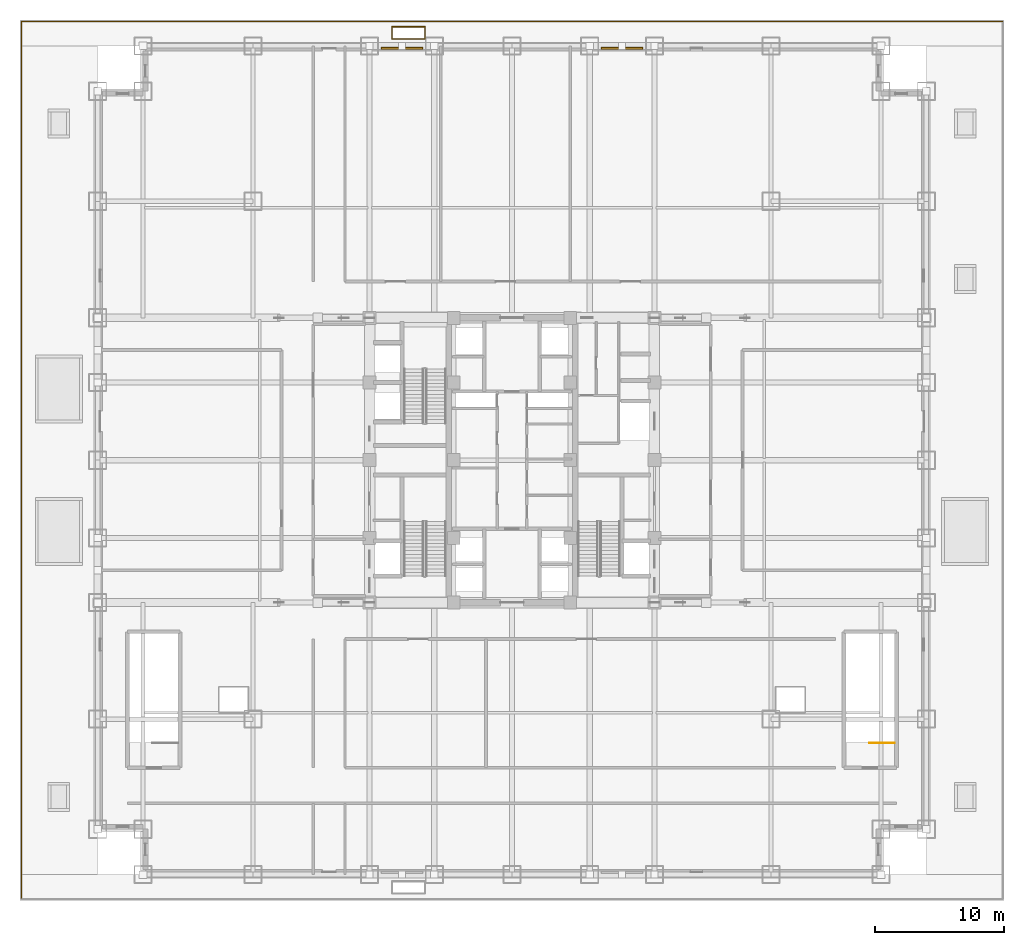
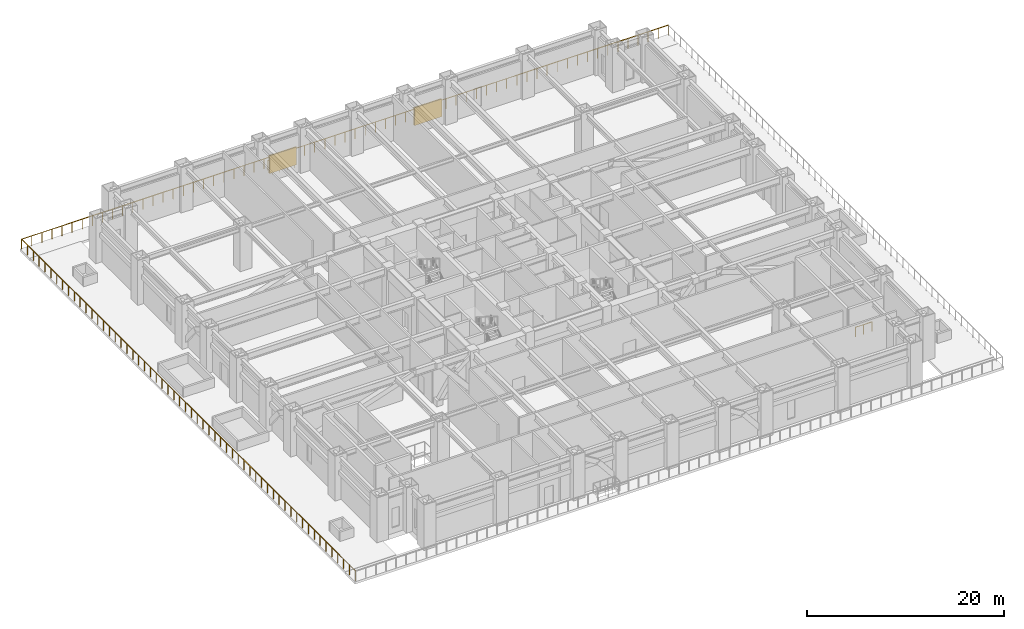
# One storey, part 21 of 21: 3 railings, 2 shading devices.
"""IFC4 building model written with IfcOpenShell, lengths in metres."""

import ifcopenshell
import ifcopenshell.guid

model = None  # the IFC model being written
_history = None  # IfcOwnerHistory: only IFC2X3 demands one
_inside = {}  # id of a spatial element -> (the spatial element, [elements in it])
_under = {}  # id of a project, library or spatial element -> (it, [spatial elements below it])
_declared = {}  # id of a project -> (the project, [libraries it declares])
_typed = {}  # id of a type object -> (the type object, [elements of that type])
_made_of = {}  # id of a material, layer set ... -> (it, [elements and type objects made of it])


def new_model(schema):
    """Start an empty IFC model of exactly this schema.

    Asked for "IFC4X3", IfcOpenShell would pick the latest addendum, in which some entities
    have other attributes; the version numbers below select the first issue.
    IFC2X3 requires an IfcOwnerHistory on every rooted entity: one is made here for all.
    """
    global model, _history
    if schema == "IFC4X3":
        model = ifcopenshell.file(schema_version=(4, 3, 0, 0))
    else:
        model = ifcopenshell.file(schema=schema)
    _inside.clear()
    _under.clear()
    _declared.clear()
    _typed.clear()
    _made_of.clear()
    _history = None
    if model.schema == "IFC2X3":
        org = make("IfcOrganization", Name="unknown")
        user = make(
            "IfcPersonAndOrganization",
            ThePerson=make("IfcPerson", FamilyName="unknown"),
            TheOrganization=org,
        )
        app = make(
            "IfcApplication",
            ApplicationDeveloper=org,
            Version="unknown",
            ApplicationFullName="unknown",
            ApplicationIdentifier="unknown",
        )
        _history = make(
            "IfcOwnerHistory",
            OwningUser=user,
            OwningApplication=app,
            ChangeAction="ADDED",
            CreationDate=0,
        )
    return model


def make(cls, **values):
    """One entity of the class cls with the attributes given. An attribute that is None is left unset."""
    return model.create_entity(
        cls, **{name: value for name, value in values.items() if value is not None}
    )


def rooted(cls, **values):
    """An entity with a GlobalId (a new one), such as an element, a storey or a relation."""
    return make(cls, GlobalId=ifcopenshell.guid.new(), OwnerHistory=_history, **values)


def si_unit(unit_type, name, prefix=None):
    """IfcSIUnit, for example si_unit("LENGTHUNIT", "METRE", prefix="MILLI")."""
    return make("IfcSIUnit", UnitType=unit_type, Prefix=prefix, Name=name)


def assignment(units):
    """IfcUnitAssignment: the units of a project."""
    return None if units is None else make("IfcUnitAssignment", Units=units)


def point(xyz):
    """IfcCartesianPoint."""
    return None if xyz is None else make("IfcCartesianPoint", Coordinates=xyz)


def direction(xyz):
    """IfcDirection."""
    return None if xyz is None else make("IfcDirection", DirectionRatios=xyz)


def frame(location, z_axis=None, x_axis=None):
    """IfcAxis2Placement3D, a coordinate frame: its origin and axes. An axis left out is left unset."""
    return make(
        "IfcAxis2Placement3D",
        Location=point(location),
        Axis=direction(z_axis),
        RefDirection=direction(x_axis),
    )


def frame_2d(location, x_axis=None):
    """IfcAxis2Placement2D, a coordinate frame in the plane: its origin and x axis."""
    return make(
        "IfcAxis2Placement2D", Location=point(location), RefDirection=direction(x_axis)
    )


def origin():
    """The frame at (0, 0, 0) with its axes left unset."""
    return frame((0.0, 0.0, 0.0))


def origin_2d():
    """The frame at (0, 0) in the plane with its x axis left unset."""
    return frame_2d((0.0, 0.0))


def place(relative_to, where):
    """IfcLocalPlacement: puts the frame where relative to a parent placement (None: the world)."""
    return make(
        "IfcLocalPlacement", PlacementRelTo=relative_to, RelativePlacement=where
    )


def context(
    kind, dimensions, precision=None, world=None, true_north=None, identifier=None
):
    """IfcGeometricRepresentationContext, for example the 3D "Model" context."""
    return make(
        "IfcGeometricRepresentationContext",
        ContextIdentifier=identifier,
        ContextType=kind,
        CoordinateSpaceDimension=dimensions,
        Precision=precision,
        WorldCoordinateSystem=world,
        TrueNorth=true_north,
    )


def subcontext(parent, identifier, kind, view, scale=None):
    """IfcGeometricRepresentationSubContext, for example "Body" below "Model"."""
    return make(
        "IfcGeometricRepresentationSubContext",
        ContextIdentifier=identifier,
        ContextType=kind,
        ParentContext=parent,
        TargetScale=scale,
        TargetView=view,
    )


def project(units=None, contexts=None):
    """IfcProject with its units and contexts."""
    return rooted(
        "IfcProject",
        Name="project",
        RepresentationContexts=contexts,
        UnitsInContext=assignment(units),
    )


def spatial(cls, under=None, at=None, **own):
    """A site, building, storey or space (cls), placed at a placement, below another one or the project."""
    s = rooted(cls, ObjectPlacement=at, **own)
    if under is not None:
        _under.setdefault(under.id(), (under, []))[1].append(s)
    return s


def profile(cls, at=None, kind="AREA", **sizes):
    """A parametric profile (cls). Its sizes go by their IFC names, for example OverallWidth=200.0."""
    return make(cls, ProfileType=kind, Position=at, **sizes)


def rectangle(**sizes):
    """IfcRectangleProfileDef."""
    return profile("IfcRectangleProfileDef", **sizes)


def circle(**sizes):
    """IfcCircleProfileDef."""
    return profile("IfcCircleProfileDef", **sizes)


def extrude(swept, where, along, depth):
    """IfcExtrudedAreaSolid: the profile swept, set in the frame where, extruded along a direction by depth."""
    return make(
        "IfcExtrudedAreaSolid",
        SweptArea=swept,
        Position=where,
        ExtrudedDirection=direction(along),
        Depth=depth,
    )


def shape(context_of_items, identifier, shape_type, items):
    """IfcShapeRepresentation: the items that make up one representation, for example the "Body"."""
    return make(
        "IfcShapeRepresentation",
        ContextOfItems=context_of_items,
        RepresentationIdentifier=identifier,
        RepresentationType=shape_type,
        Items=items,
    )


def source(mapping_origin, context_of_items, identifier, shape_type, items):
    """IfcRepresentationMap: a shape defined once, which mapped items show again and again."""
    return make(
        "IfcRepresentationMap",
        MappingOrigin=mapping_origin,
        MappedRepresentation=shape(context_of_items, identifier, shape_type, items),
    )


def transform(
    local_origin,
    x_axis=None,
    y_axis=None,
    z_axis=None,
    scale=None,
    scale2=None,
    scale3=None,
    uniform=True,
):
    """IfcCartesianTransformationOperator3D, or its non-uniform kind. x_axis, y_axis, z_axis: its Axis1, 2, 3."""
    if uniform:
        return make(
            "IfcCartesianTransformationOperator3D",
            Axis1=direction(x_axis),
            Axis2=direction(y_axis),
            LocalOrigin=point(local_origin),
            Scale=scale,
            Axis3=direction(z_axis),
        )
    return make(
        "IfcCartesianTransformationOperator3DnonUniform",
        Axis1=direction(x_axis),
        Axis2=direction(y_axis),
        LocalOrigin=point(local_origin),
        Scale=scale,
        Axis3=direction(z_axis),
        Scale2=scale2,
        Scale3=scale3,
    )


def mapped(mapping_source, mapping_target):
    """IfcMappedItem: shows the shape of a source again, moved by a transform."""
    return make(
        "IfcMappedItem", MappingSource=mapping_source, MappingTarget=mapping_target
    )


def material(Name=None, Category=None):
    """IfcMaterial."""
    return make("IfcMaterial", Name=Name, Category=Category)


def layer(
    of_material, thickness, ventilated=None, Name=None, Category=None, Priority=None
):
    """IfcMaterialLayer: one layer of a wall or slab, of a material (None: an air gap)."""
    return make(
        "IfcMaterialLayer",
        Material=of_material,
        LayerThickness=thickness,
        IsVentilated=ventilated,
        Name=Name,
        Category=Category,
        Priority=Priority,
    )


def layer_set(layers, Name=None):
    """IfcMaterialLayerSet."""
    return make("IfcMaterialLayerSet", MaterialLayers=layers, LayerSetName=Name)


def made_of(thing, what):
    """Note that an element or type object is made of a material, layer set ...; save() writes the relation."""
    if what is not None:
        _made_of.setdefault(what.id(), (what, []))[1].append(thing)
    return thing


def type_object(cls, material=None, **own):
    """A type object (cls), such as IfcWallType, which elements share."""
    return made_of(rooted(cls, **own), material)


def element(
    cls,
    number,
    at=None,
    inside=None,
    cuts=None,
    type_object=None,
    material=None,
    context=None,
    identifier="Body",
    shape_type=None,
    held_by="IfcProductDefinitionShape",
    body=None,
    shapes=None,
    **own,
):
    """One element of the class cls, such as IfcWall. Its Tag is "e" and its number.

    at: its placement. inside: the storey or other place that contains it. cuts: it is an
    opening in that element (IfcRelVoidsElement). A single representation is given by context,
    identifier, shape_type and body (its items); several are given by shapes. held_by: the class
    of the entity that holds the representations. save() writes the other relations.
    """
    e = rooted(cls, Tag="e%d" % number, ObjectPlacement=at, **own)
    if body is not None:
        shapes = [shape(context, identifier, shape_type, body)]
    if shapes is not None:
        e.Representation = make(held_by, Representations=shapes)
    if inside is not None:
        _inside.setdefault(inside.id(), (inside, []))[1].append(e)
    if cuts is not None:
        rooted(
            "IfcRelVoidsElement", RelatingBuildingElement=cuts, RelatedOpeningElement=e
        )
    if type_object is not None:
        _typed.setdefault(type_object.id(), (type_object, []))[1].append(e)
    return made_of(e, material)


def aggregate(whole, parts):
    """IfcRelAggregates: a whole, such as a stair, and the parts it consists of."""
    return rooted("IfcRelAggregates", RelatingObject=whole, RelatedObjects=parts)


def save(model, path):
    """Write the relations noted so far, then the file.

    IfcRelAggregates (storeys below a building ...), IfcRelContainedInSpatialStructure (elements
    in a storey), IfcRelDefinesByType, IfcRelAssociatesMaterial and IfcRelDeclares: one each for
    every whole, place, type object, material and project.
    """
    for whole, parts in _under.values():
        aggregate(whole, parts)
    for where, things in _inside.values():
        rooted(
            "IfcRelContainedInSpatialStructure",
            RelatedElements=things,
            RelatingStructure=where,
        )
    for kind, things in _typed.values():
        rooted("IfcRelDefinesByType", RelatedObjects=things, RelatingType=kind)
    for what, things in _made_of.values():
        rooted("IfcRelAssociatesMaterial", RelatedObjects=things, RelatingMaterial=what)
    for by, libraries in _declared.values():
        rooted("IfcRelDeclares", RelatingContext=by, RelatedDefinitions=libraries)
    model.write(path)


model = new_model("IFC4")

# Units and contexts
model_context = context("Model", 3, precision=1e-05, world=origin(), true_north=direction((0.0, 1.0)))
body_context = subcontext(model_context, "Body", "Model", "MODEL_VIEW")
ifc_project = project(units=[si_unit("LENGTHUNIT", "METRE"), si_unit("AREAUNIT", "SQUARE_METRE"), si_unit("VOLUMEUNIT", "CUBIC_METRE"), si_unit("PLANEANGLEUNIT", "RADIAN"), si_unit("MASSUNIT", "GRAM", prefix="KILO")], contexts=[model_context])

# Site, building, storey
site_placement = place(None, origin())
site = spatial("IfcSite", under=ifc_project, at=site_placement, CompositionType="ELEMENT")
building_placement = place(site_placement, origin())
building = spatial("IfcBuilding", under=site, at=building_placement, Name="Khorayat Bourse Tower", CompositionType="ELEMENT")
storey_placement = place(building_placement, frame((0.0, 0.0, 27.0)))
storey = spatial("IfcBuildingStorey", under=building, at=storey_placement, Name="L05", CompositionType="ELEMENT", Elevation=27.0)

# Railing
ifc_material_1 = material(Name="Laminated glass and bronze balustrade", Category="glass")
railing_type_1 = type_object("IfcRailingType", Name="RLG-TERR-1250", PredefinedType="GUARDRAIL", material=ifc_material_1)
shared_shape_1 = source(origin(), body_context, "Body", "SweptSolid", [
    extrude(circle(Radius=0.02392578125, at=origin_2d()), frame((0.0, 0.0, 1.22607421875), z_axis=(1.0, 0.0, 0.0), x_axis=(0.0, 1.0, 0.0)), (0.0, 0.0, 1.0), 2.56005859375),
    extrude(circle(Radius=0.02392578125, at=origin_2d()), frame((2.56005859375, 0.0, 1.22607421875), z_axis=(0.0, 1.0, 0.0), x_axis=(-1.0, 0.0, 0.0)), (0.0, 0.0, 1.0), 0.9599609375),
    extrude(circle(Radius=0.02392578125, at=origin_2d()), frame((2.56005859375, 0.9599609375, 1.22607421875), z_axis=(-1.0, 0.0, 0.0), x_axis=(0.0, -1.0, 0.0)), (0.0, 0.0, 1.0), 2.56005859375),
    extrude(circle(Radius=0.02392578125, at=origin_2d()), frame((0.0, 0.9599609375, 1.22607421875), z_axis=(0.0, -1.0, 0.0), x_axis=(1.0, 0.0, 0.0)), (0.0, 0.0, 1.0), 0.8798828125),
    extrude(circle(Radius=0.02099609375, at=origin_2d()), origin(), (0.0, 0.0, 1.0), 1.201904296875),
    extrude(circle(Radius=0.02099609375, at=origin_2d()), frame((0.853271484375, 0.0, 0.0)), (0.0, 0.0, 1.0), 1.201904296875),
    extrude(circle(Radius=0.02099609375, at=origin_2d()), frame((1.706787109375, 0.0, 0.0)), (0.0, 0.0, 1.0), 1.201904296875),
    extrude(circle(Radius=0.02099609375, at=origin_2d()), frame((2.56005859375, 0.0, 0.0)), (0.0, 0.0, 1.0), 1.201904296875),
    extrude(circle(Radius=0.02099609375, at=origin_2d()), frame((2.56005859375, 0.9599609375, 0.0)), (0.0, 0.0, 1.0), 1.201904296875),
    extrude(circle(Radius=0.02099609375, at=origin_2d()), frame((1.706787109375, 0.9599609375, 0.0)), (0.0, 0.0, 1.0), 1.201904296875),
    extrude(circle(Radius=0.02099609375, at=origin_2d()), frame((0.853271484375, 0.9599609375, 0.0)), (0.0, 0.0, 1.0), 1.201904296875),
    extrude(circle(Radius=0.02099609375, at=origin_2d()), frame((0.0, 0.9599609375, 0.0)), (0.0, 0.0, 1.0), 1.201904296875),
    extrude(circle(Radius=0.02099609375, at=origin_2d()), frame((0.0, 0.080078125, 0.0)), (0.0, 0.0, 1.0), 1.201904296875),
])
railing_1_placement = place(storey_placement, frame((-9.280029296875, 32.52001953125, 0.0)))
element("IfcRailing", 1, at=railing_1_placement, inside=storey, type_object=railing_type_1, Name="L05 Terrace Tree-Pit Guardrail 01", PredefinedType="GUARDRAIL", context=body_context, shape_type="MappedRepresentation", body=[
    mapped(shared_shape_1, transform((0.0, 0.0, 0.0), scale=1.0)),
])

# Shading devices
ifc_material_2 = material(Name="Anodised champagne aluminium", Category="aluminium")
ifc_layer = layer(ifc_material_2, 0.14990234375)
ifc_layer_set = layer_set([ifc_layer], Name="Anodised champagne aluminium")
shading_device_type = type_object("IfcShadingDeviceType", Name="SHD-PLANT-LOUVRE", PredefinedType="JALOUSIE", material=ifc_layer_set)
shared_shape_2 = source(origin(), body_context, "Body", "SweptSolid", [
    extrude(rectangle(XDim=3.199951171875, YDim=0.14990234375, at=origin_2d()), origin(), (0.0, 0.0, 1.0), 2.199951171875),
])
for number, where, z_axis, x_axis, name in (
    (2, (-8.5, 31.81005859375, 0.89990234375), (0.0, 0.0, 1.0), (1.0, 0.0, 0.0), "L05 Acoustic Plant Intake Louvre N-1"),
    (3, (8.5, 31.81005859375, 0.89990234375), (0.0, 0.0, 1.0), (1.0, 0.0, 0.0), "L05 Acoustic Plant Intake Louvre N-2"),
):
    element("IfcShadingDevice", number, at=place(storey_placement, frame(where, z_axis=z_axis, x_axis=x_axis)), inside=storey, type_object=shading_device_type, Name=name, PredefinedType="JALOUSIE", context=body_context, shape_type="MappedRepresentation", body=[
        mapped(shared_shape_2, transform((0.0, 0.0, 0.0), scale=1.0)),
    ])

# Railings
shared_shape_3 = source(origin(), body_context, "Body", "SweptSolid", [
    extrude(circle(Radius=0.02392578125, at=origin_2d()), frame((0.0, 0.0, 1.22607421875), z_axis=(-1.0, 0.0, 0.0), x_axis=(0.0, -1.0, 0.0)), (0.0, 0.0, 1.0), 75.759765625),
    extrude(circle(Radius=0.02392578125, at=origin_2d()), frame((-75.759765625, 0.0, 1.22607421875), z_axis=(0.0, -1.0, 0.0), x_axis=(1.0, 0.0, 0.0)), (0.0, 0.0, 1.0), 67.699951171875),
    extrude(circle(Radius=0.02099609375, at=origin_2d()), origin(), (0.0, 0.0, 1.0), 1.201904296875),
    extrude(circle(Radius=0.02099609375, at=origin_2d()), frame((-1.183837890625, 0.0, 0.0)), (0.0, 0.0, 1.0), 1.201904296875),
    extrude(circle(Radius=0.02099609375, at=origin_2d()), frame((-2.367431640625, 0.0, 0.0)), (0.0, 0.0, 1.0), 1.201904296875),
    extrude(circle(Radius=0.02099609375, at=origin_2d()), frame((-3.55126953125, 0.0, 0.0)), (0.0, 0.0, 1.0), 1.201904296875),
    extrude(circle(Radius=0.02099609375, at=origin_2d()), frame((-4.73486328125, 0.0, 0.0)), (0.0, 0.0, 1.0), 1.201904296875),
    extrude(circle(Radius=0.02099609375, at=origin_2d()), frame((-5.918701171875, 0.0, 0.0)), (0.0, 0.0, 1.0), 1.201904296875),
    extrude(circle(Radius=0.02099609375, at=origin_2d()), frame((-7.1025390625, 0.0, 0.0)), (0.0, 0.0, 1.0), 1.201904296875),
    extrude(circle(Radius=0.02099609375, at=origin_2d()), frame((-8.2861328125, 0.0, 0.0)), (0.0, 0.0, 1.0), 1.201904296875),
    extrude(circle(Radius=0.02099609375, at=origin_2d()), frame((-9.469970703125, 0.0, 0.0)), (0.0, 0.0, 1.0), 1.201904296875),
    extrude(circle(Radius=0.02099609375, at=origin_2d()), frame((-10.65380859375, 0.0, 0.0)), (0.0, 0.0, 1.0), 1.201904296875),
    extrude(circle(Radius=0.02099609375, at=origin_2d()), frame((-11.83740234375, 0.0, 0.0)), (0.0, 0.0, 1.0), 1.201904296875),
    extrude(circle(Radius=0.02099609375, at=origin_2d()), frame((-13.021240234375, 0.0, 0.0)), (0.0, 0.0, 1.0), 1.201904296875),
    extrude(circle(Radius=0.02099609375, at=origin_2d()), frame((-14.205078125, 0.0, 0.0)), (0.0, 0.0, 1.0), 1.201904296875),
    extrude(circle(Radius=0.02099609375, at=origin_2d()), frame((-15.388671875, 0.0, 0.0)), (0.0, 0.0, 1.0), 1.201904296875),
    extrude(circle(Radius=0.02099609375, at=origin_2d()), frame((-16.572509765625, 0.0, 0.0)), (0.0, 0.0, 1.0), 1.201904296875),
    extrude(circle(Radius=0.02099609375, at=origin_2d()), frame((-17.756103515625, 0.0, 0.0)), (0.0, 0.0, 1.0), 1.201904296875),
    extrude(circle(Radius=0.02099609375, at=origin_2d()), frame((-18.93994140625, 0.0, 0.0)), (0.0, 0.0, 1.0), 1.201904296875),
    extrude(circle(Radius=0.02099609375, at=origin_2d()), frame((-20.123779296875, 0.0, 0.0)), (0.0, 0.0, 1.0), 1.201904296875),
    extrude(circle(Radius=0.02099609375, at=origin_2d()), frame((-21.307373046875, 0.0, 0.0)), (0.0, 0.0, 1.0), 1.201904296875),
    extrude(circle(Radius=0.02099609375, at=origin_2d()), frame((-22.4912109375, 0.0, 0.0)), (0.0, 0.0, 1.0), 1.201904296875),
    extrude(circle(Radius=0.02099609375, at=origin_2d()), frame((-23.6748046875, 0.0, 0.0)), (0.0, 0.0, 1.0), 1.201904296875),
    extrude(circle(Radius=0.02099609375, at=origin_2d()), frame((-24.858642578125, 0.0, 0.0)), (0.0, 0.0, 1.0), 1.201904296875),
    extrude(circle(Radius=0.02099609375, at=origin_2d()), frame((-26.04248046875, 0.0, 0.0)), (0.0, 0.0, 1.0), 1.201904296875),
    extrude(circle(Radius=0.02099609375, at=origin_2d()), frame((-27.22607421875, 0.0, 0.0)), (0.0, 0.0, 1.0), 1.201904296875),
    extrude(circle(Radius=0.02099609375, at=origin_2d()), frame((-28.409912109375, 0.0, 0.0)), (0.0, 0.0, 1.0), 1.201904296875),
    extrude(circle(Radius=0.02099609375, at=origin_2d()), frame((-29.59375, 0.0, 0.0)), (0.0, 0.0, 1.0), 1.201904296875),
    extrude(circle(Radius=0.02099609375, at=origin_2d()), frame((-30.77734375, 0.0, 0.0)), (0.0, 0.0, 1.0), 1.201904296875),
    extrude(circle(Radius=0.02099609375, at=origin_2d()), frame((-31.961181640625, 0.0, 0.0)), (0.0, 0.0, 1.0), 1.201904296875),
    extrude(circle(Radius=0.02099609375, at=origin_2d()), frame((-33.14501953125, 0.0, 0.0)), (0.0, 0.0, 1.0), 1.201904296875),
    extrude(circle(Radius=0.02099609375, at=origin_2d()), frame((-34.32861328125, 0.0, 0.0)), (0.0, 0.0, 1.0), 1.201904296875),
    extrude(circle(Radius=0.02099609375, at=origin_2d()), frame((-35.512451171875, 0.0, 0.0)), (0.0, 0.0, 1.0), 1.201904296875),
    extrude(circle(Radius=0.02099609375, at=origin_2d()), frame((-36.696044921875, 0.0, 0.0)), (0.0, 0.0, 1.0), 1.201904296875),
    extrude(circle(Radius=0.02099609375, at=origin_2d()), frame((-37.8798828125, 0.0, 0.0)), (0.0, 0.0, 1.0), 1.201904296875),
    extrude(circle(Radius=0.02099609375, at=origin_2d()), frame((-39.063720703125, 0.0, 0.0)), (0.0, 0.0, 1.0), 1.201904296875),
    extrude(circle(Radius=0.02099609375, at=origin_2d()), frame((-40.247314453125, 0.0, 0.0)), (0.0, 0.0, 1.0), 1.201904296875),
    extrude(circle(Radius=0.02099609375, at=origin_2d()), frame((-41.43115234375, 0.0, 0.0)), (0.0, 0.0, 1.0), 1.201904296875),
    extrude(circle(Radius=0.02099609375, at=origin_2d()), frame((-42.61474609375, 0.0, 0.0)), (0.0, 0.0, 1.0), 1.201904296875),
    extrude(circle(Radius=0.02099609375, at=origin_2d()), frame((-43.798583984375, 0.0, 0.0)), (0.0, 0.0, 1.0), 1.201904296875),
    extrude(circle(Radius=0.02099609375, at=origin_2d()), frame((-44.982421875, 0.0, 0.0)), (0.0, 0.0, 1.0), 1.201904296875),
    extrude(circle(Radius=0.02099609375, at=origin_2d()), frame((-46.166015625, 0.0, 0.0)), (0.0, 0.0, 1.0), 1.201904296875),
    extrude(circle(Radius=0.02099609375, at=origin_2d()), frame((-47.349853515625, 0.0, 0.0)), (0.0, 0.0, 1.0), 1.201904296875),
    extrude(circle(Radius=0.02099609375, at=origin_2d()), frame((-48.53369140625, 0.0, 0.0)), (0.0, 0.0, 1.0), 1.201904296875),
    extrude(circle(Radius=0.02099609375, at=origin_2d()), frame((-49.71728515625, 0.0, 0.0)), (0.0, 0.0, 1.0), 1.201904296875),
    extrude(circle(Radius=0.02099609375, at=origin_2d()), frame((-50.901123046875, 0.0, 0.0)), (0.0, 0.0, 1.0), 1.201904296875),
    extrude(circle(Radius=0.02099609375, at=origin_2d()), frame((-52.0849609375, 0.0, 0.0)), (0.0, 0.0, 1.0), 1.201904296875),
    extrude(circle(Radius=0.02099609375, at=origin_2d()), frame((-53.2685546875, 0.0, 0.0)), (0.0, 0.0, 1.0), 1.201904296875),
    extrude(circle(Radius=0.02099609375, at=origin_2d()), frame((-54.452392578125, 0.0, 0.0)), (0.0, 0.0, 1.0), 1.201904296875),
    extrude(circle(Radius=0.02099609375, at=origin_2d()), frame((-55.635986328125, 0.0, 0.0)), (0.0, 0.0, 1.0), 1.201904296875),
    extrude(circle(Radius=0.02099609375, at=origin_2d()), frame((-56.81982421875, 0.0, 0.0)), (0.0, 0.0, 1.0), 1.201904296875),
    extrude(circle(Radius=0.02099609375, at=origin_2d()), frame((-58.003662109375, 0.0, 0.0)), (0.0, 0.0, 1.0), 1.201904296875),
    extrude(circle(Radius=0.02099609375, at=origin_2d()), frame((-59.187255859375, 0.0, 0.0)), (0.0, 0.0, 1.0), 1.201904296875),
    extrude(circle(Radius=0.02099609375, at=origin_2d()), frame((-60.37109375, 0.0, 0.0)), (0.0, 0.0, 1.0), 1.201904296875),
    extrude(circle(Radius=0.02099609375, at=origin_2d()), frame((-61.5546875, 0.0, 0.0)), (0.0, 0.0, 1.0), 1.201904296875),
    extrude(circle(Radius=0.02099609375, at=origin_2d()), frame((-62.738525390625, 0.0, 0.0)), (0.0, 0.0, 1.0), 1.201904296875),
    extrude(circle(Radius=0.02099609375, at=origin_2d()), frame((-63.92236328125, 0.0, 0.0)), (0.0, 0.0, 1.0), 1.201904296875),
    extrude(circle(Radius=0.02099609375, at=origin_2d()), frame((-65.10595703125, 0.0, 0.0)), (0.0, 0.0, 1.0), 1.201904296875),
    extrude(circle(Radius=0.02099609375, at=origin_2d()), frame((-66.289794921875, 0.0, 0.0)), (0.0, 0.0, 1.0), 1.201904296875),
    extrude(circle(Radius=0.02099609375, at=origin_2d()), frame((-67.4736328125, 0.0, 0.0)), (0.0, 0.0, 1.0), 1.201904296875),
    extrude(circle(Radius=0.02099609375, at=origin_2d()), frame((-68.6572265625, 0.0, 0.0)), (0.0, 0.0, 1.0), 1.201904296875),
    extrude(circle(Radius=0.02099609375, at=origin_2d()), frame((-69.841064453125, 0.0, 0.0)), (0.0, 0.0, 1.0), 1.201904296875),
    extrude(circle(Radius=0.02099609375, at=origin_2d()), frame((-71.02490234375, 0.0, 0.0)), (0.0, 0.0, 1.0), 1.201904296875),
    extrude(circle(Radius=0.02099609375, at=origin_2d()), frame((-72.20849609375, 0.0, 0.0)), (0.0, 0.0, 1.0), 1.201904296875),
    extrude(circle(Radius=0.02099609375, at=origin_2d()), frame((-73.392333984375, 0.0, 0.0)), (0.0, 0.0, 1.0), 1.201904296875),
    extrude(circle(Radius=0.02099609375, at=origin_2d()), frame((-74.575927734375, 0.0, 0.0)), (0.0, 0.0, 1.0), 1.201904296875),
    extrude(circle(Radius=0.02099609375, at=origin_2d()), frame((-75.759765625, 0.0, 0.0)), (0.0, 0.0, 1.0), 1.201904296875),
    extrude(circle(Radius=0.02099609375, at=origin_2d()), frame((-75.759765625, -1.187744140625, 0.0)), (0.0, 0.0, 1.0), 1.201904296875),
    extrude(circle(Radius=0.02099609375, at=origin_2d()), frame((-75.759765625, -2.37548828125, 0.0)), (0.0, 0.0, 1.0), 1.201904296875),
    extrude(circle(Radius=0.02099609375, at=origin_2d()), frame((-75.759765625, -3.563232421875, 0.0)), (0.0, 0.0, 1.0), 1.201904296875),
    extrude(circle(Radius=0.02099609375, at=origin_2d()), frame((-75.759765625, -4.7509765625, 0.0)), (0.0, 0.0, 1.0), 1.201904296875),
    extrude(circle(Radius=0.02099609375, at=origin_2d()), frame((-75.759765625, -5.9384765625, 0.0)), (0.0, 0.0, 1.0), 1.201904296875),
    extrude(circle(Radius=0.02099609375, at=origin_2d()), frame((-75.759765625, -7.126220703125, 0.0)), (0.0, 0.0, 1.0), 1.201904296875),
    extrude(circle(Radius=0.02099609375, at=origin_2d()), frame((-75.759765625, -8.31396484375, 0.0)), (0.0, 0.0, 1.0), 1.201904296875),
    extrude(circle(Radius=0.02099609375, at=origin_2d()), frame((-75.759765625, -9.501708984375, 0.0)), (0.0, 0.0, 1.0), 1.201904296875),
    extrude(circle(Radius=0.02099609375, at=origin_2d()), frame((-75.759765625, -10.689453125, 0.0)), (0.0, 0.0, 1.0), 1.201904296875),
    extrude(circle(Radius=0.02099609375, at=origin_2d()), frame((-75.759765625, -11.877197265625, 0.0)), (0.0, 0.0, 1.0), 1.201904296875),
    extrude(circle(Radius=0.02099609375, at=origin_2d()), frame((-75.759765625, -13.06494140625, 0.0)), (0.0, 0.0, 1.0), 1.201904296875),
    extrude(circle(Radius=0.02099609375, at=origin_2d()), frame((-75.759765625, -14.252685546875, 0.0)), (0.0, 0.0, 1.0), 1.201904296875),
    extrude(circle(Radius=0.02099609375, at=origin_2d()), frame((-75.759765625, -15.4404296875, 0.0)), (0.0, 0.0, 1.0), 1.201904296875),
    extrude(circle(Radius=0.02099609375, at=origin_2d()), frame((-75.759765625, -16.628173828125, 0.0)), (0.0, 0.0, 1.0), 1.201904296875),
    extrude(circle(Radius=0.02099609375, at=origin_2d()), frame((-75.759765625, -17.815673828125, 0.0)), (0.0, 0.0, 1.0), 1.201904296875),
    extrude(circle(Radius=0.02099609375, at=origin_2d()), frame((-75.759765625, -19.00341796875, 0.0)), (0.0, 0.0, 1.0), 1.201904296875),
    extrude(circle(Radius=0.02099609375, at=origin_2d()), frame((-75.759765625, -20.191162109375, 0.0)), (0.0, 0.0, 1.0), 1.201904296875),
    extrude(circle(Radius=0.02099609375, at=origin_2d()), frame((-75.759765625, -21.37890625, 0.0)), (0.0, 0.0, 1.0), 1.201904296875),
    extrude(circle(Radius=0.02099609375, at=origin_2d()), frame((-75.759765625, -22.566650390625, 0.0)), (0.0, 0.0, 1.0), 1.201904296875),
    extrude(circle(Radius=0.02099609375, at=origin_2d()), frame((-75.759765625, -23.75439453125, 0.0)), (0.0, 0.0, 1.0), 1.201904296875),
    extrude(circle(Radius=0.02099609375, at=origin_2d()), frame((-75.759765625, -24.942138671875, 0.0)), (0.0, 0.0, 1.0), 1.201904296875),
    extrude(circle(Radius=0.02099609375, at=origin_2d()), frame((-75.759765625, -26.1298828125, 0.0)), (0.0, 0.0, 1.0), 1.201904296875),
    extrude(circle(Radius=0.02099609375, at=origin_2d()), frame((-75.759765625, -27.317626953125, 0.0)), (0.0, 0.0, 1.0), 1.201904296875),
    extrude(circle(Radius=0.02099609375, at=origin_2d()), frame((-75.759765625, -28.505126953125, 0.0)), (0.0, 0.0, 1.0), 1.201904296875),
    extrude(circle(Radius=0.02099609375, at=origin_2d()), frame((-75.759765625, -29.69287109375, 0.0)), (0.0, 0.0, 1.0), 1.201904296875),
    extrude(circle(Radius=0.02099609375, at=origin_2d()), frame((-75.759765625, -30.880615234375, 0.0)), (0.0, 0.0, 1.0), 1.201904296875),
    extrude(circle(Radius=0.02099609375, at=origin_2d()), frame((-75.759765625, -32.068359375, 0.0)), (0.0, 0.0, 1.0), 1.201904296875),
    extrude(circle(Radius=0.02099609375, at=origin_2d()), frame((-75.759765625, -33.256103515625, 0.0)), (0.0, 0.0, 1.0), 1.201904296875),
    extrude(circle(Radius=0.02099609375, at=origin_2d()), frame((-75.759765625, -34.44384765625, 0.0)), (0.0, 0.0, 1.0), 1.201904296875),
    extrude(circle(Radius=0.02099609375, at=origin_2d()), frame((-75.759765625, -35.631591796875, 0.0)), (0.0, 0.0, 1.0), 1.201904296875),
    extrude(circle(Radius=0.02099609375, at=origin_2d()), frame((-75.759765625, -36.8193359375, 0.0)), (0.0, 0.0, 1.0), 1.201904296875),
    extrude(circle(Radius=0.02099609375, at=origin_2d()), frame((-75.759765625, -38.007080078125, 0.0)), (0.0, 0.0, 1.0), 1.201904296875),
    extrude(circle(Radius=0.02099609375, at=origin_2d()), frame((-75.759765625, -39.19482421875, 0.0)), (0.0, 0.0, 1.0), 1.201904296875),
    extrude(circle(Radius=0.02099609375, at=origin_2d()), frame((-75.759765625, -40.38232421875, 0.0)), (0.0, 0.0, 1.0), 1.201904296875),
    extrude(circle(Radius=0.02099609375, at=origin_2d()), frame((-75.759765625, -41.570068359375, 0.0)), (0.0, 0.0, 1.0), 1.201904296875),
    extrude(circle(Radius=0.02099609375, at=origin_2d()), frame((-75.759765625, -42.7578125, 0.0)), (0.0, 0.0, 1.0), 1.201904296875),
    extrude(circle(Radius=0.02099609375, at=origin_2d()), frame((-75.759765625, -43.945556640625, 0.0)), (0.0, 0.0, 1.0), 1.201904296875),
    extrude(circle(Radius=0.02099609375, at=origin_2d()), frame((-75.759765625, -45.13330078125, 0.0)), (0.0, 0.0, 1.0), 1.201904296875),
    extrude(circle(Radius=0.02099609375, at=origin_2d()), frame((-75.759765625, -46.321044921875, 0.0)), (0.0, 0.0, 1.0), 1.201904296875),
    extrude(circle(Radius=0.02099609375, at=origin_2d()), frame((-75.759765625, -47.5087890625, 0.0)), (0.0, 0.0, 1.0), 1.201904296875),
    extrude(circle(Radius=0.02099609375, at=origin_2d()), frame((-75.759765625, -48.696533203125, 0.0)), (0.0, 0.0, 1.0), 1.201904296875),
    extrude(circle(Radius=0.02099609375, at=origin_2d()), frame((-75.759765625, -49.88427734375, 0.0)), (0.0, 0.0, 1.0), 1.201904296875),
    extrude(circle(Radius=0.02099609375, at=origin_2d()), frame((-75.759765625, -51.07177734375, 0.0)), (0.0, 0.0, 1.0), 1.201904296875),
    extrude(circle(Radius=0.02099609375, at=origin_2d()), frame((-75.759765625, -52.259521484375, 0.0)), (0.0, 0.0, 1.0), 1.201904296875),
    extrude(circle(Radius=0.02099609375, at=origin_2d()), frame((-75.759765625, -53.447265625, 0.0)), (0.0, 0.0, 1.0), 1.201904296875),
    extrude(circle(Radius=0.02099609375, at=origin_2d()), frame((-75.759765625, -54.635009765625, 0.0)), (0.0, 0.0, 1.0), 1.201904296875),
    extrude(circle(Radius=0.02099609375, at=origin_2d()), frame((-75.759765625, -55.82275390625, 0.0)), (0.0, 0.0, 1.0), 1.201904296875),
    extrude(circle(Radius=0.02099609375, at=origin_2d()), frame((-75.759765625, -57.010498046875, 0.0)), (0.0, 0.0, 1.0), 1.201904296875),
    extrude(circle(Radius=0.02099609375, at=origin_2d()), frame((-75.759765625, -58.1982421875, 0.0)), (0.0, 0.0, 1.0), 1.201904296875),
    extrude(circle(Radius=0.02099609375, at=origin_2d()), frame((-75.759765625, -59.385986328125, 0.0)), (0.0, 0.0, 1.0), 1.201904296875),
    extrude(circle(Radius=0.02099609375, at=origin_2d()), frame((-75.759765625, -60.57373046875, 0.0)), (0.0, 0.0, 1.0), 1.201904296875),
    extrude(circle(Radius=0.02099609375, at=origin_2d()), frame((-75.759765625, -61.761474609375, 0.0)), (0.0, 0.0, 1.0), 1.201904296875),
    extrude(circle(Radius=0.02099609375, at=origin_2d()), frame((-75.759765625, -62.948974609375, 0.0)), (0.0, 0.0, 1.0), 1.201904296875),
    extrude(circle(Radius=0.02099609375, at=origin_2d()), frame((-75.759765625, -64.13671875, 0.0)), (0.0, 0.0, 1.0), 1.201904296875),
    extrude(circle(Radius=0.02099609375, at=origin_2d()), frame((-75.759765625, -65.324462890625, 0.0)), (0.0, 0.0, 1.0), 1.201904296875),
    extrude(circle(Radius=0.02099609375, at=origin_2d()), frame((-75.759765625, -66.51220703125, 0.0)), (0.0, 0.0, 1.0), 1.201904296875),
    extrude(circle(Radius=0.02099609375, at=origin_2d()), frame((-75.759765625, -67.699951171875, 0.0)), (0.0, 0.0, 1.0), 1.201904296875),
])
railing_2_placement = place(storey_placement, frame((37.8798828125, 33.8798828125, 0.0)))
element("IfcRailing", 4, at=railing_2_placement, inside=storey, type_object=railing_type_1, Name="L05 Podium Roof Garden Guardrail NW", PredefinedType="GUARDRAIL", context=body_context, shape_type="MappedRepresentation", body=[
    mapped(shared_shape_3, transform((0.0, 0.0, 0.0), scale=1.0)),
])
ifc_material_3 = material(Name="Powder-coated steel balustrade", Category="steel")
railing_type_2 = type_object("IfcRailingType", Name="RLG-GUARD-1200", PredefinedType="GUARDRAIL", material=ifc_material_3)
shared_shape_4 = source(origin(), body_context, "Body", "SweptSolid", [
    extrude(circle(Radius=0.02392578125, at=origin_2d()), frame((0.0, 0.0, 1.17578125), z_axis=(-1.0, 0.0, 0.0), x_axis=(0.0, -1.0, 0.0)), (0.0, 0.0, 1.0), 1.949951171875),
    extrude(circle(Radius=0.02099609375, at=origin_2d()), origin(), (0.0, 0.0, 1.0), 1.15185546875),
    extrude(circle(Radius=0.02099609375, at=origin_2d()), frame((-0.97509765625, 0.0, 0.0)), (0.0, 0.0, 1.0), 1.15185546875),
    extrude(circle(Radius=0.02099609375, at=origin_2d()), frame((-1.949951171875, 0.0, 0.0)), (0.0, 0.0, 1.0), 1.15185546875),
])
railing_3_placement = place(storey_placement, frame((29.550048828125, -21.85009765625, 0.0)))
element("IfcRailing", 5, at=railing_3_placement, inside=storey, type_object=railing_type_2, Name="L05 ST-P2 top well guard 1", PredefinedType="GUARDRAIL", context=body_context, shape_type="MappedRepresentation", body=[
    mapped(shared_shape_4, transform((0.0, 0.0, 0.0), scale=1.0)),
])

save(model, "model.ifc")
